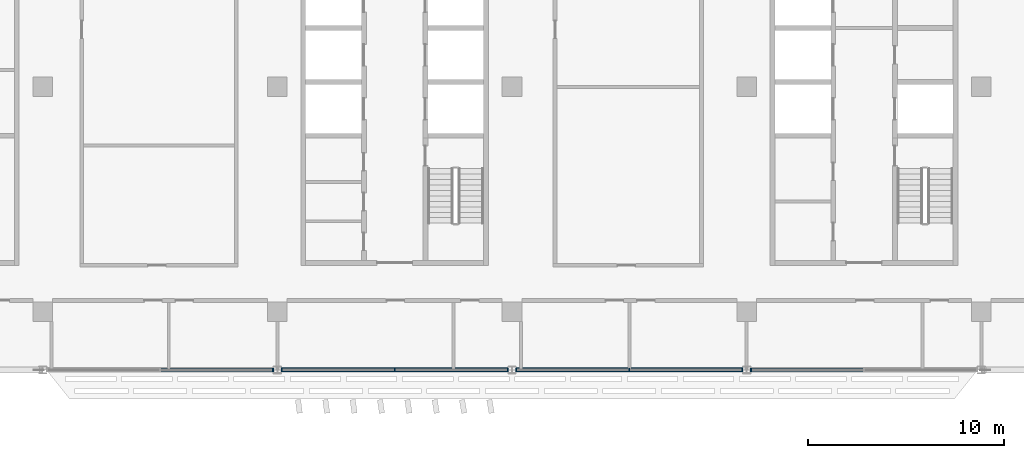
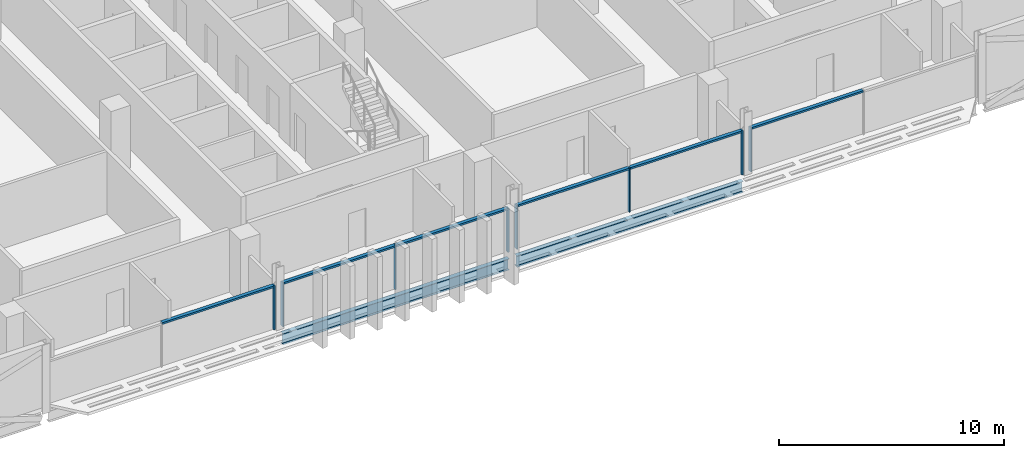
# One storey, part 8 of 33: 14 members, 2 beams, 4 elements without a shape of their own.
"""IFC4 building model written with IfcOpenShell, lengths in metres."""

from ifc_helpers import new_model, si_unit, direction, frame, origin, origin_2d, place, context, subcontext, project, spatial, rectangle, i_section, extrude, material, material_profile, profile_set, type_object, element, aggregate, save


model = new_model("IFC4")

# Units and contexts
model_context = context("Model", 3, precision=1e-05, world=origin(), true_north=direction((0.0, 1.0)))
body_context = subcontext(model_context, "Body", "Model", "MODEL_VIEW")
ifc_project = project(units=[si_unit("LENGTHUNIT", "METRE"), si_unit("AREAUNIT", "SQUARE_METRE"), si_unit("VOLUMEUNIT", "CUBIC_METRE"), si_unit("PLANEANGLEUNIT", "RADIAN"), si_unit("MASSUNIT", "GRAM", prefix="KILO")], contexts=[model_context])

# Site, building, storey
site_placement = place(None, origin())
site = spatial("IfcSite", under=ifc_project, at=site_placement, CompositionType="ELEMENT")
building_placement = place(site_placement, origin())
building = spatial("IfcBuilding", under=site, at=building_placement, Name="Mahtab Terrace Research Tower", CompositionType="ELEMENT")
storey_placement = place(building_placement, frame((0.0, 0.0, 255.199951171875)))
storey = spatial("IfcBuildingStorey", under=building, at=storey_placement, Name="L62", CompositionType="ELEMENT", Elevation=255.199951171875)

# Curtain wall, member
ifc_material_1 = material(Name="Office ribbon curtain wall")
curtain_wall_type = type_object("IfcCurtainWallType", Name="Office ribbon curtain wall", PredefinedType="NOTDEFINED", material=ifc_material_1)
curtain_wall_1_placement = place(storey_placement, origin())
curtain_wall_1 = element("IfcCurtainWall", 1, at=curtain_wall_1_placement, inside=storey, type_object=curtain_wall_type, Name="EN.L62.13.27", PredefinedType="NOTDEFINED")
ifc_material_2 = material(Name="Natural anodised aluminium", Category="aluminium")
ifc_material_profile_1 = material_profile(ifc_material_2, rectangle(XDim=0.179931640625, YDim=0.06005859375, at=origin_2d()), Name="MULLION 60x180")
ifc_profile_set_1 = profile_set([ifc_material_profile_1], Name="Natural anodised aluminium")
member_type_1 = type_object("IfcMemberType", Name="Office ribbon curtain wall mullion", PredefinedType="MULLION", material=ifc_profile_set_1)
member_1_placement = place(storey_placement, frame((-6.222900390625, -14.472900390625, 0.0), z_axis=(0.0, 0.0, 1.0), x_axis=(0.0, 1.0, 0.0)))
member_1 = element("IfcMember", 2, at=member_1_placement, type_object=member_type_1, Name="CWO-7 mullion 3", PredefinedType="MULLION", context=body_context, shape_type="SweptSolid", body=[
    extrude(rectangle(XDim=0.179931640625, YDim=0.06005859375, at=origin_2d()), origin(), (0.0, 0.0, 1.0), 2.4013671875),
])

# Curtain wall, members
curtain_wall_2_placement = place(storey_placement, origin())
curtain_wall_2 = element("IfcCurtainWall", 3, at=curtain_wall_2_placement, inside=storey, type_object=curtain_wall_type, Name="EN.L62.13.28", PredefinedType="NOTDEFINED")
member_2_placement = place(storey_placement, frame((-5.777099609375, -14.472900390625, 0.0), z_axis=(0.0, 0.0, 1.0), x_axis=(0.0, 1.0, 0.0)))
member_2 = element("IfcMember", 4, at=member_2_placement, type_object=member_type_1, Name="CWO-7 mullion 1", PredefinedType="MULLION", context=body_context, shape_type="SweptSolid", body=[
    extrude(rectangle(XDim=0.179931640625, YDim=0.06005859375, at=origin_2d()), origin(), (0.0, 0.0, 1.0), 2.4013671875),
])
member_3_placement = place(storey_placement, frame((0.0, -14.472900390625, 0.0), z_axis=(0.0, 0.0, 1.0), x_axis=(0.0, 1.0, 0.0)))
member_3 = element("IfcMember", 5, at=member_3_placement, type_object=member_type_1, Name="CWO-7 mullion 2", PredefinedType="MULLION", context=body_context, shape_type="SweptSolid", body=[
    extrude(rectangle(XDim=0.179931640625, YDim=0.06005859375, at=origin_2d()), origin(), (0.0, 0.0, 1.0), 2.4013671875),
])
member_4_placement = place(storey_placement, frame((5.777099609375, -14.472900390625, 0.0), z_axis=(0.0, 0.0, 1.0), x_axis=(0.0, 1.0, 0.0)))
member_4 = element("IfcMember", 6, at=member_4_placement, type_object=member_type_1, Name="CWO-7 mullion 3", PredefinedType="MULLION", context=body_context, shape_type="SweptSolid", body=[
    extrude(rectangle(XDim=0.179931640625, YDim=0.06005859375, at=origin_2d()), origin(), (0.0, 0.0, 1.0), 2.4013671875),
])

curtain_wall_3_placement = place(storey_placement, origin())
curtain_wall_3 = element("IfcCurtainWall", 7, at=curtain_wall_3_placement, inside=storey, type_object=curtain_wall_type, Name="EN.L62.13.29", PredefinedType="NOTDEFINED")
member_5_placement = place(storey_placement, frame((6.222900390625, -14.472900390625, 0.0), z_axis=(0.0, 0.0, 1.0), x_axis=(0.0, 1.0, 0.0)))
member_5 = element("IfcMember", 8, at=member_5_placement, type_object=member_type_1, Name="CWO-7 mullion 1", PredefinedType="MULLION", context=body_context, shape_type="SweptSolid", body=[
    extrude(rectangle(XDim=0.179931640625, YDim=0.06005859375, at=origin_2d()), origin(), (0.0, 0.0, 1.0), 2.4013671875),
])
member_6_placement = place(storey_placement, frame((12.0, -14.472900390625, 0.0), z_axis=(0.0, 0.0, 1.0), x_axis=(0.0, 1.0, 0.0)))
member_6 = element("IfcMember", 9, at=member_6_placement, type_object=member_type_1, Name="CWO-7 mullion 2", PredefinedType="MULLION", context=body_context, shape_type="SweptSolid", body=[
    extrude(rectangle(XDim=0.179931640625, YDim=0.06005859375, at=origin_2d()), origin(), (0.0, 0.0, 1.0), 2.4013671875),
])
member_7_placement = place(storey_placement, frame((17.777099609375, -14.472900390625, 0.0), z_axis=(0.0, 0.0, 1.0), x_axis=(0.0, 1.0, 0.0)))
member_7 = element("IfcMember", 10, at=member_7_placement, type_object=member_type_1, Name="CWO-7 mullion 3", PredefinedType="MULLION", context=body_context, shape_type="SweptSolid", body=[
    extrude(rectangle(XDim=0.179931640625, YDim=0.06005859375, at=origin_2d()), origin(), (0.0, 0.0, 1.0), 2.4013671875),
])

# Curtain wall, member
curtain_wall_4_placement = place(storey_placement, origin())
curtain_wall_4 = element("IfcCurtainWall", 11, at=curtain_wall_4_placement, inside=storey, type_object=curtain_wall_type, Name="EN.L62.13.30", PredefinedType="NOTDEFINED")
member_8_placement = place(storey_placement, frame((18.222900390625, -14.472900390625, 0.0), z_axis=(0.0, 0.0, 1.0), x_axis=(0.0, 1.0, 0.0)))
member_8 = element("IfcMember", 12, at=member_8_placement, type_object=member_type_1, Name="CWO-7 mullion 1", PredefinedType="MULLION", context=body_context, shape_type="SweptSolid", body=[
    extrude(rectangle(XDim=0.179931640625, YDim=0.06005859375, at=origin_2d()), origin(), (0.0, 0.0, 1.0), 2.4013671875),
])

# Member
ifc_material_profile_2 = material_profile(ifc_material_2, rectangle(XDim=0.179931640625, YDim=0.10009765625, at=origin_2d()), Name="TRANSOM 100x180")
ifc_profile_set_2 = profile_set([ifc_material_profile_2], Name="Natural anodised aluminium")
member_type_2 = type_object("IfcMemberType", Name="Office ribbon curtain wall transom", PredefinedType="USERDEFINED", material=ifc_profile_set_2)
member_9_placement = place(storey_placement, frame((-11.969970703125, -14.472900390625, 2.351318359375), z_axis=(1.0, 0.0, 0.0), x_axis=(0.0, 1.0, 0.0)))
member_9 = element("IfcMember", 13, at=member_9_placement, type_object=member_type_2, Name="CWO-7 transom 2", ObjectType="TRANSOM", PredefinedType="USERDEFINED", context=body_context, shape_type="SweptSolid", body=[
    extrude(rectangle(XDim=0.179931640625, YDim=0.10009765625, at=origin_2d()), origin(), (0.0, 0.0, 1.0), 5.717041015625),
])

aggregate(curtain_wall_1, [member_1, member_9])

member_10_placement = place(storey_placement, frame((-5.7470703125, -14.472900390625, 2.351318359375), z_axis=(1.0, 0.0, 0.0), x_axis=(0.0, 1.0, 0.0)))
member_10 = element("IfcMember", 14, at=member_10_placement, type_object=member_type_2, Name="CWO-7 transom 1", ObjectType="TRANSOM", PredefinedType="USERDEFINED", context=body_context, shape_type="SweptSolid", body=[
    extrude(rectangle(XDim=0.179931640625, YDim=0.10009765625, at=origin_2d()), origin(), (0.0, 0.0, 1.0), 5.717041015625),
])

member_11_placement = place(storey_placement, frame((0.030029296875, -14.472900390625, 2.351318359375), z_axis=(1.0, 0.0, 0.0), x_axis=(0.0, 1.0, 0.0)))
member_11 = element("IfcMember", 15, at=member_11_placement, type_object=member_type_2, Name="CWO-7 transom 2", ObjectType="TRANSOM", PredefinedType="USERDEFINED", context=body_context, shape_type="SweptSolid", body=[
    extrude(rectangle(XDim=0.179931640625, YDim=0.10009765625, at=origin_2d()), origin(), (0.0, 0.0, 1.0), 5.717041015625),
])

aggregate(curtain_wall_2, [member_2, member_3, member_4, member_10, member_11])

member_12_placement = place(storey_placement, frame((6.2529296875, -14.472900390625, 2.351318359375), z_axis=(1.0, 0.0, 0.0), x_axis=(0.0, 1.0, 0.0)))
member_12 = element("IfcMember", 16, at=member_12_placement, type_object=member_type_2, Name="CWO-7 transom 1", ObjectType="TRANSOM", PredefinedType="USERDEFINED", context=body_context, shape_type="SweptSolid", body=[
    extrude(rectangle(XDim=0.179931640625, YDim=0.10009765625, at=origin_2d()), origin(), (0.0, 0.0, 1.0), 5.717041015625),
])

member_13_placement = place(storey_placement, frame((12.030029296875, -14.472900390625, 2.351318359375), z_axis=(1.0, 0.0, 0.0), x_axis=(0.0, 1.0, 0.0)))
member_13 = element("IfcMember", 17, at=member_13_placement, type_object=member_type_2, Name="CWO-7 transom 2", ObjectType="TRANSOM", PredefinedType="USERDEFINED", context=body_context, shape_type="SweptSolid", body=[
    extrude(rectangle(XDim=0.179931640625, YDim=0.10009765625, at=origin_2d()), origin(), (0.0, 0.0, 1.0), 5.717041015625),
])

aggregate(curtain_wall_3, [member_5, member_6, member_7, member_12, member_13])

member_14_placement = place(storey_placement, frame((18.2529296875, -14.472900390625, 2.351318359375), z_axis=(1.0, 0.0, 0.0), x_axis=(0.0, 1.0, 0.0)))
member_14 = element("IfcMember", 18, at=member_14_placement, type_object=member_type_2, Name="CWO-7 transom 1", ObjectType="TRANSOM", PredefinedType="USERDEFINED", context=body_context, shape_type="SweptSolid", body=[
    extrude(rectangle(XDim=0.179931640625, YDim=0.10009765625, at=origin_2d()), origin(), (0.0, 0.0, 1.0), 5.717041015625),
])

aggregate(curtain_wall_4, [member_8, member_14])

# Beams
ifc_material_3 = material(Name="Steel ASTM A992 Gr 50", Category="steel")
ifc_material_profile_3 = material_profile(ifc_material_3, i_section(OverallWidth=0.228271484375, OverallDepth=0.607177734375, WebThickness=0.01123046875, FlangeThickness=0.017333984375, at=origin_2d()), Name="W24X76")
ifc_profile_set_3 = profile_set([ifc_material_profile_3], Name="Steel ASTM A992 Gr 50")
beam_type = type_object("IfcBeamType", Name="W24x76 beam BS2476", PredefinedType="BEAM", material=ifc_profile_set_3)
for number, where, z_axis, x_axis, name in (
    (19, (-5.800537109375, -14.472900390625, -0.6435546875), (1.0, 0.0, 0.0), (0.0, 1.0, 0.0), "Spandrel beam L62 15"),
    (20, (6.199462890625, -14.472900390625, -0.6435546875), (1.0, 0.0, 0.0), (0.0, 1.0, 0.0), "Spandrel beam L62 16"),
):
    element("IfcBeam", number, at=place(storey_placement, frame(where, z_axis=z_axis, x_axis=x_axis)), inside=storey, type_object=beam_type, Name=name, PredefinedType="BEAM", context=body_context, shape_type="SweptSolid", body=[
        extrude(i_section(OverallWidth=0.228271484375, OverallDepth=0.607177734375, WebThickness=0.01123046875, FlangeThickness=0.017333984375, at=origin_2d()), origin(), (0.0, 0.0, 1.0), 11.60107421875),
    ])

save(model, "model.ifc")
